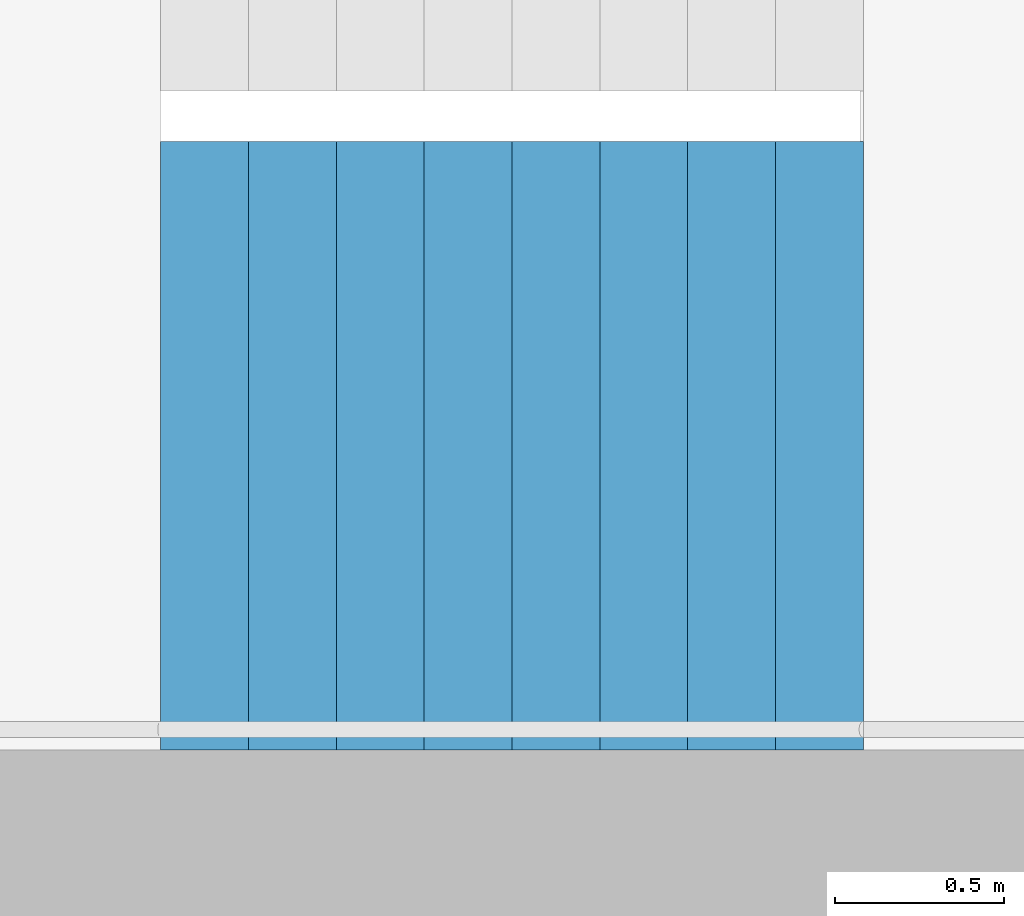
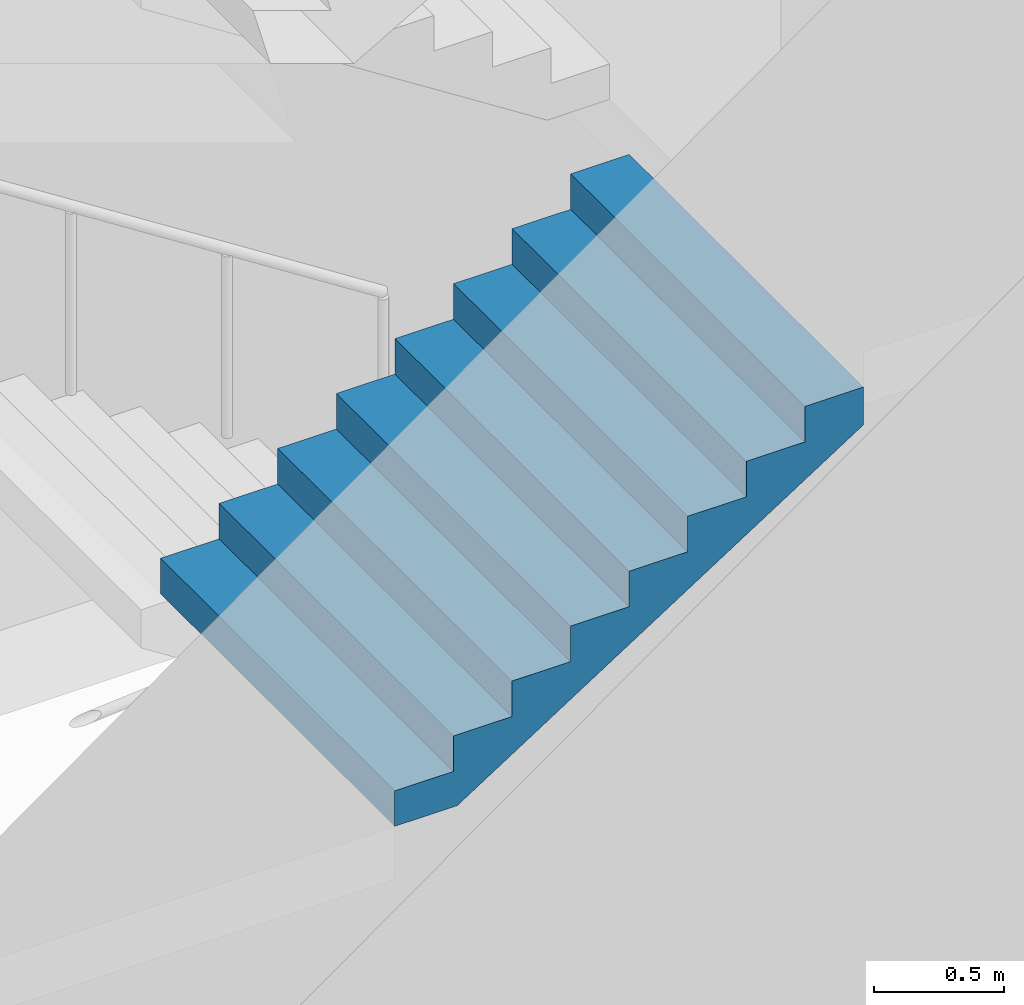
# One storey, part 50 of 100: 1 stair flight, 1 element without a shape of its own.
"""IFC4 building model written with IfcOpenShell, lengths in metres."""

from ifc_helpers import new_model, si_unit, direction, frame, origin, place, context, subcontext, project, spatial, triangles, material, type_object, element, aggregate, save


model = new_model("IFC4")

# Units and contexts
model_context = context("Model", 3, precision=1e-05, world=origin(), true_north=direction((0.0, 1.0)))
body_context = subcontext(model_context, "Body", "Model", "MODEL_VIEW")
ifc_project = project(units=[si_unit("LENGTHUNIT", "METRE"), si_unit("AREAUNIT", "SQUARE_METRE"), si_unit("VOLUMEUNIT", "CUBIC_METRE"), si_unit("PLANEANGLEUNIT", "RADIAN"), si_unit("MASSUNIT", "GRAM", prefix="KILO")], contexts=[model_context])

# Site, building, storey
site_placement = place(None, origin())
site = spatial("IfcSite", under=ifc_project, at=site_placement, CompositionType="ELEMENT")
building_placement = place(site_placement, origin())
building = spatial("IfcBuilding", under=site, at=building_placement, Name="Hakoniwa Tower and Hamabe Station Hall", CompositionType="ELEMENT")
storey_placement = place(building_placement, frame((0.0, 0.0, 9.0)))
storey = spatial("IfcBuildingStorey", under=building, at=storey_placement, Name="L02", CompositionType="ELEMENT", Elevation=9.0)

# Stair, stair flight
ifc_material_1 = material(Name="Concrete C40", Category="concrete")
stair_type = type_object("IfcStairType", Name="ESCAPE STAIR 1800", PredefinedType="HALF_TURN_STAIR", material=ifc_material_1)
stair_placement = place(storey_placement, origin())
stair = element("IfcStair", 1, at=stair_placement, inside=storey, type_object=stair_type, Name="Escape stair ST-2 L02", PredefinedType="HALF_TURN_STAIR")
ifc_material_2 = material(Name="Concrete C40", Category="concrete")
stair_flight_type = type_object("IfcStairFlightType", Name="STAIR FLIGHT 1800", PredefinedType="STRAIGHT", material=ifc_material_2)
stair_flight_placement = place(storey_placement, frame((-25.47998046875, -6.60009765625, 1.5), z_axis=(0.0, 0.0, 1.0), x_axis=(1.0, 0.0, 0.0)))
stair_flight = element("IfcStairFlight", 2, at=stair_flight_placement, type_object=stair_flight_type, Name="ST-2 flight 2", NumberOfRisers=9, NumberOfTreads=8, PredefinedType="STRAIGHT", RiserHeight=0.166666667, TreadLength=0.26, context=body_context, shape_type="Tessellation", body=[
    triangles([(0.0, 0.89990234375, 0.0), (0.260009765625, 0.89990234375, 0.0), (0.27783203125, 0.89990234375, 0.0), (0.52001953125, 0.89990234375, 0.1552734375), (0.780029296875, 0.89990234375, 0.322021484375), (1.0400390625, 0.89990234375, 0.488525390625), (1.300048828125, 0.89990234375, 0.6552734375), (1.56005859375, 0.89990234375, 0.822021484375), (1.820068359375, 0.89990234375, 0.988525390625), (2.080078125, 0.89990234375, 1.1552734375), (2.080078125, 0.89990234375, 1.333251953125), (1.820068359375, 0.89990234375, 1.333251953125), (1.820068359375, 0.89990234375, 1.166748046875), (1.56005859375, 0.89990234375, 1.166748046875), (1.56005859375, 0.89990234375, 1.0), (1.300048828125, 0.89990234375, 1.0), (1.300048828125, 0.89990234375, 0.833251953125), (1.0400390625, 0.89990234375, 0.833251953125), (1.0400390625, 0.89990234375, 0.666748046875), (0.780029296875, 0.89990234375, 0.666748046875), (0.780029296875, 0.89990234375, 0.5), (0.52001953125, 0.89990234375, 0.5), (0.52001953125, 0.89990234375, 0.333251953125), (0.27783203125, 0.89990234375, 0.333251953125), (0.260009765625, 0.89990234375, 0.333251953125), (0.260009765625, 0.89990234375, 0.166748046875), (0.0, 0.89990234375, 0.166748046875), (0.0, 0.06005859375, 0.0), (0.260009765625, 0.06005859375, 0.0), (0.27783203125, 0.06005859375, 0.0), (0.52001953125, 0.06005859375, 0.1552734375), (0.780029296875, 0.06005859375, 0.322021484375), (1.0400390625, 0.06005859375, 0.488525390625), (1.300048828125, 0.06005859375, 0.6552734375), (1.56005859375, 0.06005859375, 0.822021484375), (1.820068359375, 0.06005859375, 0.988525390625), (2.080078125, 0.06005859375, 1.1552734375), (2.080078125, 0.06005859375, 1.333251953125), (1.820068359375, 0.06005859375, 1.333251953125), (1.820068359375, 0.06005859375, 1.166748046875), (1.56005859375, 0.06005859375, 1.166748046875), (1.56005859375, 0.06005859375, 1.0), (1.300048828125, 0.06005859375, 1.0), (1.300048828125, 0.06005859375, 0.833251953125), (1.0400390625, 0.06005859375, 0.833251953125), (1.0400390625, 0.06005859375, 0.666748046875), (0.780029296875, 0.06005859375, 0.666748046875), (0.780029296875, 0.06005859375, 0.5), (0.52001953125, 0.06005859375, 0.5), (0.52001953125, 0.06005859375, 0.333251953125), (0.27783203125, 0.06005859375, 0.333251953125), (0.260009765625, 0.06005859375, 0.333251953125), (0.260009765625, 0.06005859375, 0.166748046875), (0.0, 0.06005859375, 0.166748046875), (0.0, 0.04296875, 0.0), (0.260009765625, 0.04296875, 0.0), (0.27783203125, 0.04296875, 0.0), (0.52001953125, 0.04296875, 0.1552734375), (0.780029296875, 0.04296875, 0.322021484375), (1.0400390625, 0.04296875, 0.488525390625), (1.300048828125, 0.04296875, 0.6552734375), (1.56005859375, 0.04296875, 0.822021484375), (1.820068359375, 0.04296875, 0.988525390625), (2.080078125, 0.04296875, 1.1552734375), (2.080078125, 0.04296875, 1.333251953125), (1.820068359375, 0.04296875, 1.333251953125), (1.820068359375, 0.04296875, 1.166748046875), (1.56005859375, 0.04296875, 1.166748046875), (1.56005859375, 0.04296875, 1.0), (1.300048828125, 0.04296875, 1.0), (1.300048828125, 0.04296875, 0.833251953125), (1.0400390625, 0.04296875, 0.833251953125), (1.0400390625, 0.04296875, 0.666748046875), (0.780029296875, 0.04296875, 0.666748046875), (0.780029296875, 0.04296875, 0.5), (0.52001953125, 0.04296875, 0.5), (0.52001953125, 0.04296875, 0.333251953125), (0.27783203125, 0.04296875, 0.333251953125), (0.260009765625, 0.04296875, 0.333251953125), (0.260009765625, 0.04296875, 0.166748046875), (0.0, 0.04296875, 0.166748046875), (0.0, 0.025634765625, 0.0), (0.260009765625, 0.025634765625, 0.0), (0.27783203125, 0.025634765625, 0.0), (0.52001953125, 0.025634765625, 0.1552734375), (0.780029296875, 0.025634765625, 0.322021484375), (1.0400390625, 0.025634765625, 0.488525390625), (1.300048828125, 0.025634765625, 0.6552734375), (1.56005859375, 0.025634765625, 0.822021484375), (1.820068359375, 0.025634765625, 0.988525390625), (2.080078125, 0.025634765625, 1.1552734375), (2.080078125, 0.025634765625, 1.333251953125), (1.820068359375, 0.025634765625, 1.333251953125), (1.820068359375, 0.025634765625, 1.166748046875), (1.56005859375, 0.025634765625, 1.166748046875), (1.56005859375, 0.025634765625, 1.0), (1.300048828125, 0.025634765625, 1.0), (1.300048828125, 0.025634765625, 0.833251953125), (1.0400390625, 0.025634765625, 0.833251953125), (1.0400390625, 0.025634765625, 0.666748046875), (0.780029296875, 0.025634765625, 0.666748046875), (0.780029296875, 0.025634765625, 0.5), (0.52001953125, 0.025634765625, 0.5), (0.52001953125, 0.025634765625, 0.333251953125), (0.27783203125, 0.025634765625, 0.333251953125), (0.260009765625, 0.025634765625, 0.333251953125), (0.260009765625, 0.025634765625, 0.166748046875), (0.0, 0.025634765625, 0.166748046875), (0.0, 0.008544921875, 0.0), (0.260009765625, 0.008544921875, 0.0), (0.27783203125, 0.008544921875, 0.0), (0.52001953125, 0.008544921875, 0.1552734375), (0.780029296875, 0.008544921875, 0.322021484375), (1.0400390625, 0.008544921875, 0.488525390625), (1.300048828125, 0.008544921875, 0.6552734375), (1.56005859375, 0.008544921875, 0.822021484375), (1.820068359375, 0.008544921875, 0.988525390625), (2.080078125, 0.008544921875, 1.1552734375), (2.080078125, 0.008544921875, 1.333251953125), (1.820068359375, 0.008544921875, 1.333251953125), (1.820068359375, 0.008544921875, 1.166748046875), (1.56005859375, 0.008544921875, 1.166748046875), (1.56005859375, 0.008544921875, 1.0), (1.300048828125, 0.008544921875, 1.0), (1.300048828125, 0.008544921875, 0.833251953125), (1.0400390625, 0.008544921875, 0.833251953125), (1.0400390625, 0.008544921875, 0.666748046875), (0.780029296875, 0.008544921875, 0.666748046875), (0.780029296875, 0.008544921875, 0.5), (0.52001953125, 0.008544921875, 0.5), (0.52001953125, 0.008544921875, 0.333251953125), (0.27783203125, 0.008544921875, 0.333251953125), (0.260009765625, 0.008544921875, 0.333251953125), (0.260009765625, 0.008544921875, 0.166748046875), (0.0, 0.008544921875, 0.166748046875), (0.0, -0.008544921875, 0.0), (0.260009765625, -0.008544921875, 0.0), (0.27783203125, -0.008544921875, 0.0), (0.52001953125, -0.008544921875, 0.1552734375), (0.780029296875, -0.008544921875, 0.322021484375), (1.0400390625, -0.008544921875, 0.488525390625), (1.300048828125, -0.008544921875, 0.6552734375), (1.56005859375, -0.008544921875, 0.822021484375), (1.820068359375, -0.008544921875, 0.988525390625), (2.080078125, -0.008544921875, 1.1552734375), (2.080078125, -0.008544921875, 1.333251953125), (1.820068359375, -0.008544921875, 1.333251953125), (1.820068359375, -0.008544921875, 1.166748046875), (1.56005859375, -0.008544921875, 1.166748046875), (1.56005859375, -0.008544921875, 1.0), (1.300048828125, -0.008544921875, 1.0), (1.300048828125, -0.008544921875, 0.833251953125), (1.0400390625, -0.008544921875, 0.833251953125), (1.0400390625, -0.008544921875, 0.666748046875), (0.780029296875, -0.008544921875, 0.666748046875), (0.780029296875, -0.008544921875, 0.5), (0.52001953125, -0.008544921875, 0.5), (0.52001953125, -0.008544921875, 0.333251953125), (0.27783203125, -0.008544921875, 0.333251953125), (0.260009765625, -0.008544921875, 0.333251953125), (0.260009765625, -0.008544921875, 0.166748046875), (0.0, -0.008544921875, 0.166748046875), (0.0, -0.025634765625, 0.0), (0.260009765625, -0.025634765625, 0.0), (0.27783203125, -0.025634765625, 0.0), (0.52001953125, -0.025634765625, 0.1552734375), (0.780029296875, -0.025634765625, 0.322021484375), (1.0400390625, -0.025634765625, 0.488525390625), (1.300048828125, -0.025634765625, 0.6552734375), (1.56005859375, -0.025634765625, 0.822021484375), (1.820068359375, -0.025634765625, 0.988525390625), (2.080078125, -0.025634765625, 1.1552734375), (2.080078125, -0.025634765625, 1.333251953125), (1.820068359375, -0.025634765625, 1.333251953125), (1.820068359375, -0.025634765625, 1.166748046875), (1.56005859375, -0.025634765625, 1.166748046875), (1.56005859375, -0.025634765625, 1.0), (1.300048828125, -0.025634765625, 1.0), (1.300048828125, -0.025634765625, 0.833251953125), (1.0400390625, -0.025634765625, 0.833251953125), (1.0400390625, -0.025634765625, 0.666748046875), (0.780029296875, -0.025634765625, 0.666748046875), (0.780029296875, -0.025634765625, 0.5), (0.52001953125, -0.025634765625, 0.5), (0.52001953125, -0.025634765625, 0.333251953125), (0.27783203125, -0.025634765625, 0.333251953125), (0.260009765625, -0.025634765625, 0.333251953125), (0.260009765625, -0.025634765625, 0.166748046875), (0.0, -0.025634765625, 0.166748046875), (0.0, -0.04296875, 0.0), (0.260009765625, -0.04296875, 0.0), (0.27783203125, -0.04296875, 0.0), (0.52001953125, -0.04296875, 0.1552734375), (0.780029296875, -0.04296875, 0.322021484375), (1.0400390625, -0.04296875, 0.488525390625), (1.300048828125, -0.04296875, 0.6552734375), (1.56005859375, -0.04296875, 0.822021484375), (1.820068359375, -0.04296875, 0.988525390625), (2.080078125, -0.04296875, 1.1552734375), (2.080078125, -0.04296875, 1.333251953125), (1.820068359375, -0.04296875, 1.333251953125), (1.820068359375, -0.04296875, 1.166748046875), (1.56005859375, -0.04296875, 1.166748046875), (1.56005859375, -0.04296875, 1.0), (1.300048828125, -0.04296875, 1.0), (1.300048828125, -0.04296875, 0.833251953125), (1.0400390625, -0.04296875, 0.833251953125), (1.0400390625, -0.04296875, 0.666748046875), (0.780029296875, -0.04296875, 0.666748046875), (0.780029296875, -0.04296875, 0.5), (0.52001953125, -0.04296875, 0.5), (0.52001953125, -0.04296875, 0.333251953125), (0.27783203125, -0.04296875, 0.333251953125), (0.260009765625, -0.04296875, 0.333251953125), (0.260009765625, -0.04296875, 0.166748046875), (0.0, -0.04296875, 0.166748046875), (0.0, -0.06005859375, 0.0), (0.260009765625, -0.06005859375, 0.0), (0.27783203125, -0.06005859375, 0.0), (0.52001953125, -0.06005859375, 0.1552734375), (0.780029296875, -0.06005859375, 0.322021484375), (1.0400390625, -0.06005859375, 0.488525390625), (1.300048828125, -0.06005859375, 0.6552734375), (1.56005859375, -0.06005859375, 0.822021484375), (1.820068359375, -0.06005859375, 0.988525390625), (2.080078125, -0.06005859375, 1.1552734375), (2.080078125, -0.06005859375, 1.333251953125), (1.820068359375, -0.06005859375, 1.333251953125), (1.820068359375, -0.06005859375, 1.166748046875), (1.56005859375, -0.06005859375, 1.166748046875), (1.56005859375, -0.06005859375, 1.0), (1.300048828125, -0.06005859375, 1.0), (1.300048828125, -0.06005859375, 0.833251953125), (1.0400390625, -0.06005859375, 0.833251953125), (1.0400390625, -0.06005859375, 0.666748046875), (0.780029296875, -0.06005859375, 0.666748046875), (0.780029296875, -0.06005859375, 0.5), (0.52001953125, -0.06005859375, 0.5), (0.52001953125, -0.06005859375, 0.333251953125), (0.27783203125, -0.06005859375, 0.333251953125), (0.260009765625, -0.06005859375, 0.333251953125), (0.260009765625, -0.06005859375, 0.166748046875), (0.0, -0.06005859375, 0.166748046875), (0.0, -0.89990234375, 0.0), (0.260009765625, -0.89990234375, 0.0), (0.27783203125, -0.89990234375, 0.0), (0.52001953125, -0.89990234375, 0.1552734375), (0.780029296875, -0.89990234375, 0.322021484375), (1.0400390625, -0.89990234375, 0.488525390625), (1.300048828125, -0.89990234375, 0.6552734375), (1.56005859375, -0.89990234375, 0.822021484375), (1.820068359375, -0.89990234375, 0.988525390625), (2.080078125, -0.89990234375, 1.1552734375), (2.080078125, -0.89990234375, 1.333251953125), (1.820068359375, -0.89990234375, 1.333251953125), (1.820068359375, -0.89990234375, 1.166748046875), (1.56005859375, -0.89990234375, 1.166748046875), (1.56005859375, -0.89990234375, 1.0), (1.300048828125, -0.89990234375, 1.0), (1.300048828125, -0.89990234375, 0.833251953125), (1.0400390625, -0.89990234375, 0.833251953125), (1.0400390625, -0.89990234375, 0.666748046875), (0.780029296875, -0.89990234375, 0.666748046875), (0.780029296875, -0.89990234375, 0.5), (0.52001953125, -0.89990234375, 0.5), (0.52001953125, -0.89990234375, 0.333251953125), (0.27783203125, -0.89990234375, 0.333251953125), (0.260009765625, -0.89990234375, 0.333251953125), (0.260009765625, -0.89990234375, 0.166748046875), (0.0, -0.89990234375, 0.166748046875)], [[2, 27, 26], [245, 269, 270], [2, 1, 27], [245, 270, 244], [3, 25, 24], [246, 267, 268], [3, 26, 25], [246, 268, 269], [3, 2, 26], [246, 269, 245], [4, 24, 23], [247, 266, 267], [4, 3, 24], [247, 267, 246], [5, 22, 21], [248, 264, 265], [5, 23, 22], [248, 265, 266], [5, 4, 23], [248, 266, 247], [6, 20, 19], [249, 262, 263], [6, 21, 20], [249, 263, 264], [6, 5, 21], [249, 264, 248], [7, 18, 17], [250, 260, 261], [7, 19, 18], [250, 261, 262], [7, 6, 19], [250, 262, 249], [8, 16, 15], [251, 258, 259], [8, 17, 16], [251, 259, 260], [8, 7, 17], [251, 260, 250], [9, 14, 13], [252, 256, 257], [9, 15, 14], [252, 257, 258], [9, 8, 15], [252, 258, 251], [10, 12, 11], [253, 254, 255], [10, 13, 12], [253, 255, 256], [10, 9, 13], [253, 256, 252], [1, 2, 29], [1, 29, 28], [28, 29, 56], [28, 56, 55], [55, 56, 83], [55, 83, 82], [82, 83, 110], [82, 110, 109], [109, 110, 137], [109, 137, 136], [136, 137, 164], [136, 164, 163], [163, 164, 191], [163, 191, 190], [190, 191, 218], [190, 218, 217], [217, 218, 245], [217, 245, 244], [2, 3, 30], [2, 30, 29], [29, 30, 57], [29, 57, 56], [56, 57, 84], [56, 84, 83], [83, 84, 111], [83, 111, 110], [110, 111, 138], [110, 138, 137], [137, 138, 165], [137, 165, 164], [164, 165, 192], [164, 192, 191], [191, 192, 219], [191, 219, 218], [218, 219, 246], [218, 246, 245], [3, 4, 31], [3, 31, 30], [30, 31, 58], [30, 58, 57], [57, 58, 85], [57, 85, 84], [84, 85, 112], [84, 112, 111], [111, 112, 139], [111, 139, 138], [138, 139, 166], [138, 166, 165], [165, 166, 193], [165, 193, 192], [192, 193, 220], [192, 220, 219], [219, 220, 247], [219, 247, 246], [4, 5, 32], [4, 32, 31], [31, 32, 59], [31, 59, 58], [58, 59, 86], [58, 86, 85], [85, 86, 113], [85, 113, 112], [112, 113, 140], [112, 140, 139], [139, 140, 167], [139, 167, 166], [166, 167, 194], [166, 194, 193], [193, 194, 221], [193, 221, 220], [220, 221, 248], [220, 248, 247], [5, 6, 33], [5, 33, 32], [32, 33, 60], [32, 60, 59], [59, 60, 87], [59, 87, 86], [86, 87, 114], [86, 114, 113], [113, 114, 141], [113, 141, 140], [140, 141, 168], [140, 168, 167], [167, 168, 195], [167, 195, 194], [194, 195, 222], [194, 222, 221], [221, 222, 249], [221, 249, 248], [6, 7, 34], [6, 34, 33], [33, 34, 61], [33, 61, 60], [60, 61, 88], [60, 88, 87], [87, 88, 115], [87, 115, 114], [114, 115, 142], [114, 142, 141], [141, 142, 169], [141, 169, 168], [168, 169, 196], [168, 196, 195], [195, 196, 223], [195, 223, 222], [222, 223, 250], [222, 250, 249], [7, 8, 35], [7, 35, 34], [34, 35, 62], [34, 62, 61], [61, 62, 89], [61, 89, 88], [88, 89, 116], [88, 116, 115], [115, 116, 143], [115, 143, 142], [142, 143, 170], [142, 170, 169], [169, 170, 197], [169, 197, 196], [196, 197, 224], [196, 224, 223], [223, 224, 251], [223, 251, 250], [8, 9, 36], [8, 36, 35], [35, 36, 63], [35, 63, 62], [62, 63, 90], [62, 90, 89], [89, 90, 117], [89, 117, 116], [116, 117, 144], [116, 144, 143], [143, 144, 171], [143, 171, 170], [170, 171, 198], [170, 198, 197], [197, 198, 225], [197, 225, 224], [224, 225, 252], [224, 252, 251], [9, 10, 37], [9, 37, 36], [36, 37, 64], [36, 64, 63], [63, 64, 91], [63, 91, 90], [90, 91, 118], [90, 118, 117], [117, 118, 145], [117, 145, 144], [144, 145, 172], [144, 172, 171], [171, 172, 199], [171, 199, 198], [198, 199, 226], [198, 226, 225], [225, 226, 253], [225, 253, 252], [10, 11, 38], [10, 38, 37], [37, 38, 65], [37, 65, 64], [64, 65, 92], [64, 92, 91], [91, 92, 119], [91, 119, 118], [118, 119, 146], [118, 146, 145], [145, 146, 173], [145, 173, 172], [172, 173, 200], [172, 200, 199], [199, 200, 227], [199, 227, 226], [226, 227, 254], [226, 254, 253], [11, 12, 39], [11, 39, 38], [38, 39, 66], [38, 66, 65], [65, 66, 93], [65, 93, 92], [92, 93, 120], [92, 120, 119], [119, 120, 147], [119, 147, 146], [146, 147, 174], [146, 174, 173], [173, 174, 201], [173, 201, 200], [200, 201, 228], [200, 228, 227], [227, 228, 255], [227, 255, 254], [12, 13, 40], [12, 40, 39], [39, 40, 67], [39, 67, 66], [66, 67, 94], [66, 94, 93], [93, 94, 121], [93, 121, 120], [120, 121, 148], [120, 148, 147], [147, 148, 175], [147, 175, 174], [174, 175, 202], [174, 202, 201], [201, 202, 229], [201, 229, 228], [228, 229, 256], [228, 256, 255], [13, 14, 41], [13, 41, 40], [40, 41, 68], [40, 68, 67], [67, 68, 95], [67, 95, 94], [94, 95, 122], [94, 122, 121], [121, 122, 149], [121, 149, 148], [148, 149, 176], [148, 176, 175], [175, 176, 203], [175, 203, 202], [202, 203, 230], [202, 230, 229], [229, 230, 257], [229, 257, 256], [14, 15, 42], [14, 42, 41], [41, 42, 69], [41, 69, 68], [68, 69, 96], [68, 96, 95], [95, 96, 123], [95, 123, 122], [122, 123, 150], [122, 150, 149], [149, 150, 177], [149, 177, 176], [176, 177, 204], [176, 204, 203], [203, 204, 231], [203, 231, 230], [230, 231, 258], [230, 258, 257], [15, 16, 43], [15, 43, 42], [42, 43, 70], [42, 70, 69], [69, 70, 97], [69, 97, 96], [96, 97, 124], [96, 124, 123], [123, 124, 151], [123, 151, 150], [150, 151, 178], [150, 178, 177], [177, 178, 205], [177, 205, 204], [204, 205, 232], [204, 232, 231], [231, 232, 259], [231, 259, 258], [16, 17, 44], [16, 44, 43], [43, 44, 71], [43, 71, 70], [70, 71, 98], [70, 98, 97], [97, 98, 125], [97, 125, 124], [124, 125, 152], [124, 152, 151], [151, 152, 179], [151, 179, 178], [178, 179, 206], [178, 206, 205], [205, 206, 233], [205, 233, 232], [232, 233, 260], [232, 260, 259], [17, 18, 45], [17, 45, 44], [44, 45, 72], [44, 72, 71], [71, 72, 99], [71, 99, 98], [98, 99, 126], [98, 126, 125], [125, 126, 153], [125, 153, 152], [152, 153, 180], [152, 180, 179], [179, 180, 207], [179, 207, 206], [206, 207, 234], [206, 234, 233], [233, 234, 261], [233, 261, 260], [18, 19, 46], [18, 46, 45], [45, 46, 73], [45, 73, 72], [72, 73, 100], [72, 100, 99], [99, 100, 127], [99, 127, 126], [126, 127, 154], [126, 154, 153], [153, 154, 181], [153, 181, 180], [180, 181, 208], [180, 208, 207], [207, 208, 235], [207, 235, 234], [234, 235, 262], [234, 262, 261], [19, 20, 47], [19, 47, 46], [46, 47, 74], [46, 74, 73], [73, 74, 101], [73, 101, 100], [100, 101, 128], [100, 128, 127], [127, 128, 155], [127, 155, 154], [154, 155, 182], [154, 182, 181], [181, 182, 209], [181, 209, 208], [208, 209, 236], [208, 236, 235], [235, 236, 263], [235, 263, 262], [20, 21, 48], [20, 48, 47], [47, 48, 75], [47, 75, 74], [74, 75, 102], [74, 102, 101], [101, 102, 129], [101, 129, 128], [128, 129, 156], [128, 156, 155], [155, 156, 183], [155, 183, 182], [182, 183, 210], [182, 210, 209], [209, 210, 237], [209, 237, 236], [236, 237, 264], [236, 264, 263], [21, 22, 49], [21, 49, 48], [48, 49, 76], [48, 76, 75], [75, 76, 103], [75, 103, 102], [102, 103, 130], [102, 130, 129], [129, 130, 157], [129, 157, 156], [156, 157, 184], [156, 184, 183], [183, 184, 211], [183, 211, 210], [210, 211, 238], [210, 238, 237], [237, 238, 265], [237, 265, 264], [22, 23, 50], [22, 50, 49], [49, 50, 77], [49, 77, 76], [76, 77, 104], [76, 104, 103], [103, 104, 131], [103, 131, 130], [130, 131, 158], [130, 158, 157], [157, 158, 185], [157, 185, 184], [184, 185, 212], [184, 212, 211], [211, 212, 239], [211, 239, 238], [238, 239, 266], [238, 266, 265], [23, 24, 51], [23, 51, 50], [50, 51, 78], [50, 78, 77], [77, 78, 105], [77, 105, 104], [104, 105, 132], [104, 132, 131], [131, 132, 159], [131, 159, 158], [158, 159, 186], [158, 186, 185], [185, 186, 213], [185, 213, 212], [212, 213, 240], [212, 240, 239], [239, 240, 267], [239, 267, 266], [24, 25, 52], [24, 52, 51], [51, 52, 79], [51, 79, 78], [78, 79, 106], [78, 106, 105], [105, 106, 133], [105, 133, 132], [132, 133, 160], [132, 160, 159], [159, 160, 187], [159, 187, 186], [186, 187, 214], [186, 214, 213], [213, 214, 241], [213, 241, 240], [240, 241, 268], [240, 268, 267], [25, 26, 53], [25, 53, 52], [52, 53, 80], [52, 80, 79], [79, 80, 107], [79, 107, 106], [106, 107, 134], [106, 134, 133], [133, 134, 161], [133, 161, 160], [160, 161, 188], [160, 188, 187], [187, 188, 215], [187, 215, 214], [214, 215, 242], [214, 242, 241], [241, 242, 269], [241, 269, 268], [26, 27, 54], [26, 54, 53], [53, 54, 81], [53, 81, 80], [80, 81, 108], [80, 108, 107], [107, 108, 135], [107, 135, 134], [134, 135, 162], [134, 162, 161], [161, 162, 189], [161, 189, 188], [188, 189, 216], [188, 216, 215], [215, 216, 243], [215, 243, 242], [242, 243, 270], [242, 270, 269], [27, 1, 28], [27, 28, 54], [54, 28, 55], [54, 55, 81], [81, 55, 82], [81, 82, 108], [108, 82, 109], [108, 109, 135], [135, 109, 136], [135, 136, 162], [162, 136, 163], [162, 163, 189], [189, 163, 190], [189, 190, 216], [216, 190, 217], [216, 217, 243], [243, 217, 244], [243, 244, 270]], closed=True),
])
aggregate(stair, [stair_flight])

save(model, "model.ifc")
